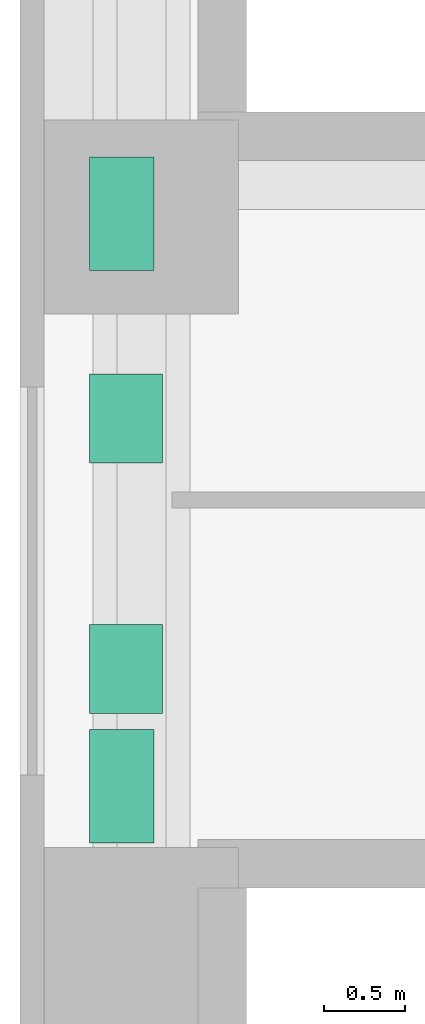
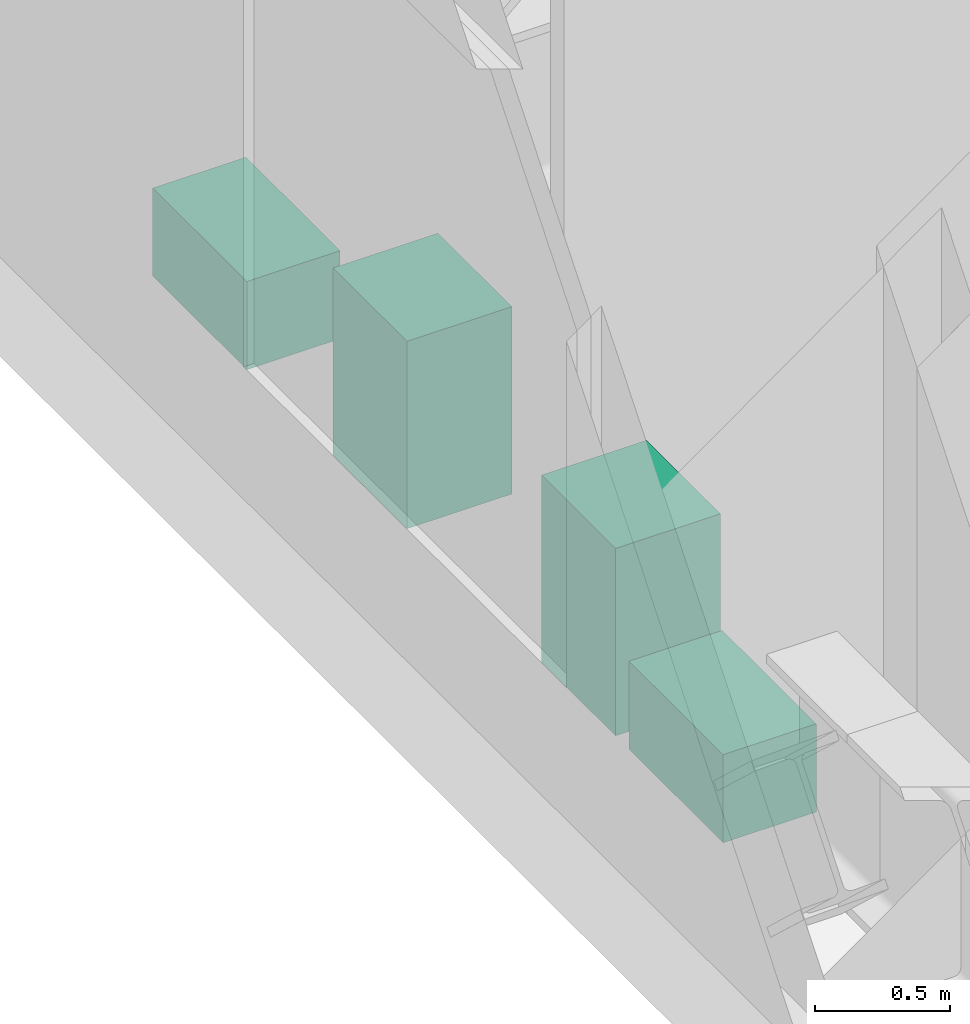
# One storey, part 13 of 13: 4 sanitary terminals.
"""IFC4 building model written with IfcOpenShell, lengths in metres."""

from ifc_helpers import new_model, si_unit, direction, frame, origin, origin_2d, place, context, subcontext, project, spatial, rectangle, extrude, material, type_object, element, save


model = new_model("IFC4")

# Units and contexts
model_context = context("Model", 3, precision=1e-05, world=origin(), true_north=direction((0.0, 1.0)))
body_context = subcontext(model_context, "Body", "Model", "MODEL_VIEW")
ifc_project = project(units=[si_unit("LENGTHUNIT", "METRE"), si_unit("AREAUNIT", "SQUARE_METRE"), si_unit("VOLUMEUNIT", "CUBIC_METRE"), si_unit("PLANEANGLEUNIT", "RADIAN"), si_unit("MASSUNIT", "GRAM", prefix="KILO")], contexts=[model_context])

# Site, building, storey
site_placement = place(None, origin())
site = spatial("IfcSite", under=ifc_project, at=site_placement, CompositionType="ELEMENT")
building_placement = place(site_placement, origin())
building = spatial("IfcBuilding", under=site, at=building_placement, Name="Firuza Court", CompositionType="ELEMENT")
storey_placement = place(building_placement, frame((0.0, 0.0, 108.199951171875)))
storey = spatial("IfcBuildingStorey", under=building, at=storey_placement, Name="L27", CompositionType="ELEMENT", Elevation=108.199951171875)

# Sanitary terminals
ifc_material_1 = material(Name="Vitreous china", Category="ceramic")
sanitary_terminal_type_1 = type_object("IfcSanitaryTerminalType", Name="Fixture WC pan", PredefinedType="TOILETPAN", material=ifc_material_1)
for number, where, z_axis, x_axis, name in (
    (1, (-0.1201171875, 14.47998046875, 0.0), (0.0, 0.0, 1.0), (1.0, 0.0, 0.0), "WC pan"),
    (2, (-0.1201171875, 18.02001953125, 0.0), (0.0, 0.0, 1.0), (1.0, 0.0, 0.0), "WC pan"),
):
    element("IfcSanitaryTerminal", number, at=place(storey_placement, frame(where, z_axis=z_axis, x_axis=x_axis)), inside=storey, type_object=sanitary_terminal_type_1, Name=name, PredefinedType="TOILETPAN", context=body_context, shape_type="SweptSolid", body=[
        extrude(rectangle(XDim=0.39990234375, YDim=0.699951171875, at=origin_2d()), origin(), (0.0, 0.0, 1.0), 0.39990234375),
    ])
ifc_material_2 = material(Name="Vitreous china", Category="ceramic")
sanitary_terminal_type_2 = type_object("IfcSanitaryTerminalType", Name="Fixture Washbasin", PredefinedType="WASHHANDBASIN", material=ifc_material_2)
for number, where, z_axis, x_axis, name in (
    (3, (-0.094970703125, 15.205078125, 0.0), (0.0, 0.0, 1.0), (1.0, 0.0, 0.0), "Washbasin"),
    (4, (-0.094970703125, 16.7548828125, 0.0), (0.0, 0.0, 1.0), (1.0, 0.0, 0.0), "Washbasin"),
):
    element("IfcSanitaryTerminal", number, at=place(storey_placement, frame(where, z_axis=z_axis, x_axis=x_axis)), inside=storey, type_object=sanitary_terminal_type_2, Name=name, PredefinedType="WASHHANDBASIN", context=body_context, shape_type="SweptSolid", body=[
        extrude(rectangle(XDim=0.449951171875, YDim=0.550048828125, at=origin_2d()), origin(), (0.0, 0.0, 1.0), 0.85009765625),
    ])

save(model, "model.ifc")
